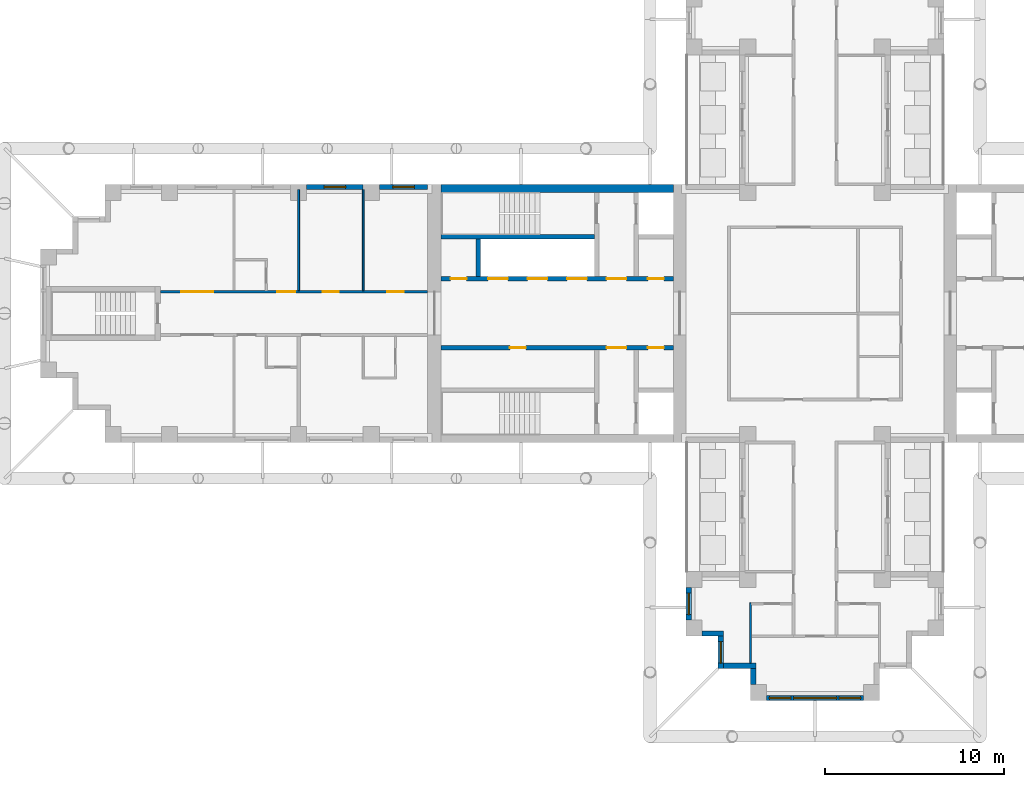
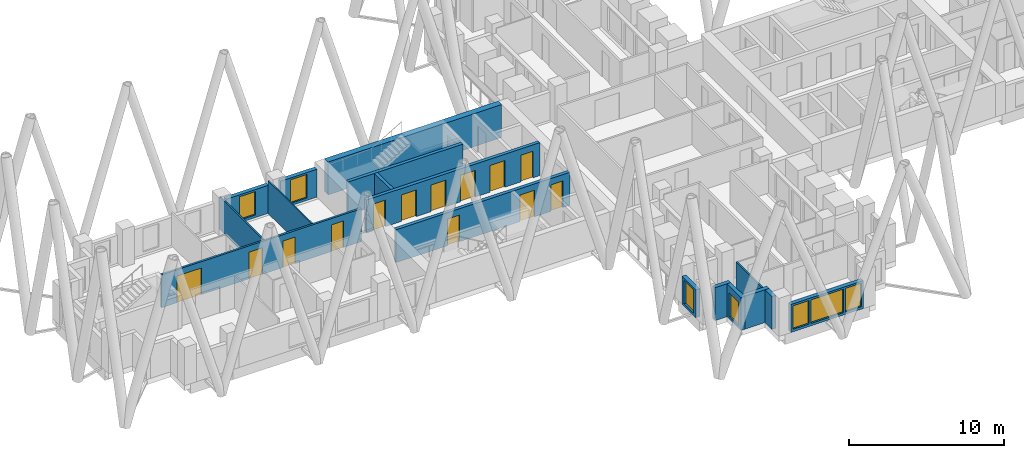
# One storey, part 4 of 12: 17 walls, 13 doors, 7 windows, 20 openings.
"""IFC4 building model written with IfcOpenShell, lengths in metres."""

from ifc_helpers import new_model, si_unit, direction, frame, frame_2d, origin, place, context, subcontext, project, spatial, rectangle, extrude, material, layer, layer_set, type_object, element, fill, save


model = new_model("IFC4")

# Units and contexts
model_context = context("Model", 3, precision=1e-05, world=origin(), true_north=direction((0.0, 1.0)))
body_context = subcontext(model_context, "Body", "Model", "MODEL_VIEW")
ifc_project = project(units=[si_unit("LENGTHUNIT", "METRE"), si_unit("AREAUNIT", "SQUARE_METRE"), si_unit("VOLUMEUNIT", "CUBIC_METRE"), si_unit("PLANEANGLEUNIT", "RADIAN"), si_unit("MASSUNIT", "GRAM", prefix="KILO")], contexts=[model_context])

# Site, building, storey
site_placement = place(None, origin())
site = spatial("IfcSite", under=ifc_project, at=site_placement, CompositionType="ELEMENT")
building_placement = place(site_placement, origin())
building = spatial("IfcBuilding", under=site, at=building_placement, Name="Fustian Cross Tower", CompositionType="ELEMENT")
storey_placement = place(building_placement, frame((0.0, 0.0, 129.300048828125)))
storey = spatial("IfcBuildingStorey", under=building, at=storey_placement, Name="L40", CompositionType="ELEMENT", Elevation=129.300048828125)

# Wall, openings, doors
ifc_material_1 = material(Name="Plasterboard on steel stud", Category="steel")
ifc_layer_1 = layer(ifc_material_1, 0.14990234375)
ifc_layer_set_1 = layer_set([ifc_layer_1], Name="Plasterboard on steel stud")
wall_type_1 = type_object("IfcWallType", Name="COMPARTMENT WALL 150 EI 60", PredefinedType="PARTITIONING", material=ifc_layer_set_1)
wall_1_placement = place(storey_placement, frame((-36.5, 1.199951171875, 0.0), z_axis=(0.0, 0.0, 1.0), x_axis=(1.0, 0.0, 0.0)))
wall_1 = element("IfcWall", 1, at=wall_1_placement, inside=storey, type_object=wall_type_1, Name="Partition 2", PredefinedType="PARTITIONING", context=body_context, shape_type="SweptSolid", body=[
    extrude(rectangle(XDim=14.89990234375, YDim=0.14990234375, at=frame_2d((7.449951171875, 0.0))), origin(), (0.0, 0.0, 1.0), 2.599853515625),
])
opening_1_placement = place(wall_1_placement, frame((12.64990234375, 0.0, 0.0)))
opening_1 = element("IfcOpeningElement", 2, at=opening_1_placement, cuts=wall_1, Name="Opening D19025", PredefinedType="OPENING", context=body_context, shape_type="SweptSolid", body=[
    extrude(rectangle(XDim=0.89990234375, YDim=2.10009765625, at=frame_2d((0.449951171875, 1.050048828125))), frame((0.0, 0.0849609375, 0.0), z_axis=(0.0, -1.0, 0.0), x_axis=(1.0, 0.0, 0.0)), (0.0, 0.0, 1.0), 0.169921875),
])
opening_2_placement = place(wall_1_placement, frame((9.050048828125, 0.0, 0.0)))
opening_2 = element("IfcOpeningElement", 3, at=opening_2_placement, cuts=wall_1, Name="Opening D19026", PredefinedType="OPENING", context=body_context, shape_type="SweptSolid", body=[
    extrude(rectangle(XDim=0.89990234375, YDim=2.10009765625, at=frame_2d((0.449951171875, 1.050048828125))), frame((0.0, 0.0849609375, 0.0), z_axis=(0.0, -1.0, 0.0), x_axis=(1.0, 0.0, 0.0)), (0.0, 0.0, 1.0), 0.169921875),
])
opening_3_placement = place(wall_1_placement, frame((6.5, 0.0, 0.0)))
opening_3 = element("IfcOpeningElement", 4, at=opening_3_placement, cuts=wall_1, Name="Opening D19028", PredefinedType="OPENING", context=body_context, shape_type="SweptSolid", body=[
    extrude(rectangle(XDim=1.0, YDim=2.10009765625, at=frame_2d((0.5, 1.050048828125))), frame((0.0, 0.0849609375, 0.0), z_axis=(0.0, -1.0, 0.0), x_axis=(1.0, 0.0, 0.0)), (0.0, 0.0, 1.0), 0.169921875),
])
opening_4_placement = place(wall_1_placement, frame((1.14990234375, 0.0, 0.0)))
opening_4 = element("IfcOpeningElement", 5, at=opening_4_placement, cuts=wall_1, Name="Opening D19029", PredefinedType="OPENING", context=body_context, shape_type="SweptSolid", body=[
    extrude(rectangle(XDim=1.800048828125, YDim=2.10009765625, at=frame_2d((0.89990234375, 1.050048828125))), frame((0.0, 0.0849609375, 0.0), z_axis=(0.0, -1.0, 0.0), x_axis=(1.0, 0.0, 0.0)), (0.0, 0.0, 1.0), 0.169921875),
])
ifc_material_2 = material(Name="Timber fire door set", Category="wood")
door_type_1 = type_object("IfcDoorType", Name="FIRE DOUBLE DOOR 1800 FD30S", OperationType="DOUBLE_DOOR_DOUBLE_SWING", PredefinedType="DOOR", material=ifc_material_2)
door_1_placement = place(opening_4_placement, frame((1.800048828125, 0.0, 0.0), z_axis=(0.0, 0.0, 1.0), x_axis=(-1.0, 0.0, 0.0)))
door_1 = element("IfcDoor", 6, at=door_1_placement, inside=storey, type_object=door_type_1, Name="Door D19029", OperationType="DOUBLE_DOOR_DOUBLE_SWING", OverallHeight=2.10009765625, OverallWidth=1.800048828125, PredefinedType="DOOR", context=body_context, shape_type="SweptSolid", body=[
    extrude(rectangle(XDim=1.800048828125, YDim=2.10009765625, at=frame_2d((0.89990234375, 1.050048828125))), frame((0.0, 0.02490234375, 0.0), z_axis=(0.0, -1.0, 0.0), x_axis=(1.0, 0.0, 0.0)), (0.0, 0.0, 1.0), 0.050048828125),
])
fill(opening_4, door_1)
ifc_material_3 = material(Name="Timber fire door set", Category="wood")
door_type_2 = type_object("IfcDoorType", Name="FIRE SWING DOOR 1000 FD30S", OperationType="SINGLE_SWING_LEFT", PredefinedType="DOOR", material=ifc_material_3)
door_2_placement = place(opening_3_placement, origin())
door_2 = element("IfcDoor", 7, at=door_2_placement, inside=storey, type_object=door_type_2, Name="Door D19028", OperationType="SINGLE_SWING_RIGHT", OverallHeight=2.10009765625, OverallWidth=1.0, PredefinedType="DOOR", context=body_context, shape_type="SweptSolid", body=[
    extrude(rectangle(XDim=1.0, YDim=2.10009765625, at=frame_2d((0.5, 1.050048828125))), frame((0.0, 0.02490234375, 0.0), z_axis=(0.0, -1.0, 0.0), x_axis=(1.0, 0.0, 0.0)), (0.0, 0.0, 1.0), 0.050048828125),
])
fill(opening_3, door_2)
ifc_material_4 = material(Name="Timber fire door set", Category="wood")
door_type_3 = type_object("IfcDoorType", Name="FIRE SWING DOOR 900 FD30S", OperationType="SINGLE_SWING_LEFT", PredefinedType="DOOR", material=ifc_material_4)
door_3_placement = place(opening_1_placement, origin())
door_3 = element("IfcDoor", 8, at=door_3_placement, inside=storey, type_object=door_type_3, Name="Door D19025", OperationType="SINGLE_SWING_LEFT", OverallHeight=2.10009765625, OverallWidth=0.89990234375, PredefinedType="DOOR", context=body_context, shape_type="SweptSolid", body=[
    extrude(rectangle(XDim=0.89990234375, YDim=2.10009765625, at=frame_2d((0.449951171875, 1.050048828125))), frame((0.0, 0.02490234375, 0.0), z_axis=(0.0, -1.0, 0.0), x_axis=(1.0, 0.0, 0.0)), (0.0, 0.0, 1.0), 0.050048828125),
])
fill(opening_1, door_3)
door_4_placement = place(opening_2_placement, origin())
door_4 = element("IfcDoor", 9, at=door_4_placement, inside=storey, type_object=door_type_3, Name="Door D19026", OperationType="SINGLE_SWING_LEFT", OverallHeight=2.10009765625, OverallWidth=0.89990234375, PredefinedType="DOOR", context=body_context, shape_type="SweptSolid", body=[
    extrude(rectangle(XDim=0.89990234375, YDim=2.10009765625, at=frame_2d((0.449951171875, 1.050048828125))), frame((0.0, 0.02490234375, 0.0), z_axis=(0.0, -1.0, 0.0), x_axis=(1.0, 0.0, 0.0)), (0.0, 0.0, 1.0), 0.050048828125),
])
fill(opening_2, door_4)

# Wall
ifc_material_5 = material(Name="Concrete C60/75", Category="concrete")
ifc_layer_2 = layer(ifc_material_5, 0.449951171875)
ifc_layer_set_2 = layer_set([ifc_layer_2], Name="Concrete C60/75")
wall_type_2 = type_object("IfcWallType", Name="CORE FACADE WALL 450 C60/75", PredefinedType="SHEAR", material=ifc_layer_set_2)
wall_2_placement = place(storey_placement, frame((-7.89990234375, 6.97509765625, 0.0), z_axis=(0.0, 0.0, 1.0), x_axis=(-1.0, 0.0, 0.0)))
element("IfcWall", 10, at=wall_2_placement, inside=storey, type_object=wall_type_2, Name="Core facade wall", PredefinedType="SHEAR", context=body_context, shape_type="SweptSolid", body=[
    extrude(rectangle(XDim=12.9501953125, YDim=0.449951171875, at=frame_2d((6.47509765625, 0.0))), origin(), (0.0, 0.0, 1.0), 2.599853515625),
])

# Wall, openings, doors
ifc_material_6 = material(Name="Concrete C50/60", Category="concrete")
ifc_layer_3 = layer(ifc_material_6, 0.25)
ifc_layer_set_3 = layer_set([ifc_layer_3], Name="Concrete C50/60")
wall_type_3 = type_object("IfcWallType", Name="CORE LOBBY WALL 250 C50/60", PredefinedType="SHEAR", material=ifc_layer_set_3)
wall_3_placement = place(storey_placement, frame((-7.89990234375, 1.925048828125, 0.0), z_axis=(0.0, 0.0, 1.0), x_axis=(-1.0, 0.0, 0.0)))
wall_3 = element("IfcWall", 11, at=wall_3_placement, inside=storey, type_object=wall_type_3, Name="Core lobby wall", PredefinedType="SHEAR", context=body_context, shape_type="SweptSolid", body=[
    extrude(rectangle(XDim=12.9501953125, YDim=0.25, at=frame_2d((6.47509765625, 0.0))), origin(), (0.0, 0.0, 1.0), 2.599853515625),
])
opening_5_placement = place(wall_3_placement, frame((4.824951171875, 0.0, 0.0)))
opening_5 = element("IfcOpeningElement", 12, at=opening_5_placement, cuts=wall_3, Name="Opening LD", PredefinedType="OPENING", context=body_context, shape_type="SweptSolid", body=[
    extrude(rectangle(XDim=1.10009765625, YDim=2.10009765625, at=frame_2d((0.550048828125, 1.050048828125))), frame((0.0, 0.135009765625, 0.0), z_axis=(0.0, -1.0, 0.0), x_axis=(1.0, 0.0, 0.0)), (0.0, 0.0, 1.0), 0.27001953125),
])
opening_6_placement = place(wall_3_placement, frame((7.02490234375, 0.0, 0.0)))
opening_6 = element("IfcOpeningElement", 13, at=opening_6_placement, cuts=wall_3, Name="Opening LD", PredefinedType="OPENING", context=body_context, shape_type="SweptSolid", body=[
    extrude(rectangle(XDim=1.10009765625, YDim=2.10009765625, at=frame_2d((0.550048828125, 1.050048828125))), frame((0.0, 0.135009765625, 0.0), z_axis=(0.0, -1.0, 0.0), x_axis=(1.0, 0.0, 0.0)), (0.0, 0.0, 1.0), 0.27001953125),
])
opening_7_placement = place(wall_3_placement, frame((9.22509765625, 0.0, 0.0)))
opening_7 = element("IfcOpeningElement", 14, at=opening_7_placement, cuts=wall_3, Name="Opening LD", PredefinedType="OPENING", context=body_context, shape_type="SweptSolid", body=[
    extrude(rectangle(XDim=1.10009765625, YDim=2.10009765625, at=frame_2d((0.550048828125, 1.050048828125))), frame((0.0, 0.135009765625, 0.0), z_axis=(0.0, -1.0, 0.0), x_axis=(1.0, 0.0, 0.0)), (0.0, 0.0, 1.0), 0.27001953125),
])
opening_8_placement = place(wall_3_placement, frame((0.52490234375, 0.0, 0.0)))
opening_8 = element("IfcOpeningElement", 15, at=opening_8_placement, cuts=wall_3, Name="Opening CD-17-23", PredefinedType="OPENING", context=body_context, shape_type="SweptSolid", body=[
    extrude(rectangle(XDim=0.89990234375, YDim=2.10009765625, at=frame_2d((0.449951171875, 1.050048828125))), frame((0.0, 0.135009765625, 0.0), z_axis=(0.0, -1.0, 0.0), x_axis=(1.0, 0.0, 0.0)), (0.0, 0.0, 1.0), 0.27001953125),
])
opening_9_placement = place(wall_3_placement, frame((2.625, 0.0, 0.0)))
opening_9 = element("IfcOpeningElement", 16, at=opening_9_placement, cuts=wall_3, Name="Opening CD-17-25", PredefinedType="OPENING", context=body_context, shape_type="SweptSolid", body=[
    extrude(rectangle(XDim=1.10009765625, YDim=2.10009765625, at=frame_2d((0.550048828125, 1.050048828125))), frame((0.0, 0.135009765625, 0.0), z_axis=(0.0, -1.0, 0.0), x_axis=(1.0, 0.0, 0.0)), (0.0, 0.0, 1.0), 0.27001953125),
])
opening_10_placement = place(wall_3_placement, frame((11.52490234375, 0.0, 0.0)))
opening_10 = element("IfcOpeningElement", 17, at=opening_10_placement, cuts=wall_3, Name="Opening CD-17-29", PredefinedType="OPENING", context=body_context, shape_type="SweptSolid", body=[
    extrude(rectangle(XDim=0.89990234375, YDim=2.10009765625, at=frame_2d((0.449951171875, 1.050048828125))), frame((0.0, 0.135009765625, 0.0), z_axis=(0.0, -1.0, 0.0), x_axis=(1.0, 0.0, 0.0)), (0.0, 0.0, 1.0), 0.27001953125),
])
ifc_material_7 = material(Name="Steel", Category="steel")
door_type_4 = type_object("IfcDoorType", Name="FIRE DOOR FD30S 900X2100", OperationType="SINGLE_SWING_LEFT", PredefinedType="DOOR", material=ifc_material_7)
door_5_placement = place(opening_10_placement, frame((0.89990234375, 0.0, 0.0), z_axis=(0.0, 0.0, 1.0), x_axis=(-1.0, 0.0, 0.0)))
door_5 = element("IfcDoor", 18, at=door_5_placement, inside=storey, type_object=door_type_4, Name="Core door CD-17-29", OperationType="SINGLE_SWING_RIGHT", OverallHeight=2.10009765625, OverallWidth=0.89990234375, PredefinedType="DOOR", context=body_context, shape_type="SweptSolid", body=[
    extrude(rectangle(XDim=0.89990234375, YDim=2.10009765625, at=frame_2d((0.449951171875, 1.050048828125))), frame((0.0, 0.02490234375, 0.0), z_axis=(0.0, -1.0, 0.0), x_axis=(1.0, 0.0, 0.0)), (0.0, 0.0, 1.0), 0.050048828125),
])
fill(opening_10, door_5)
ifc_material_8 = material(Name="Steel", Category="steel")
door_type_5 = type_object("IfcDoorType", Name="FIRE DOOR FD60S 1100X2100", OperationType="SINGLE_SWING_LEFT", PredefinedType="DOOR", material=ifc_material_8)
door_6_placement = place(opening_9_placement, frame((1.10009765625, 0.0, 0.0), z_axis=(0.0, 0.0, 1.0), x_axis=(-1.0, 0.0, 0.0)))
door_6 = element("IfcDoor", 19, at=door_6_placement, inside=storey, type_object=door_type_5, Name="Core door CD-17-25", OperationType="SINGLE_SWING_RIGHT", OverallHeight=2.10009765625, OverallWidth=1.10009765625, PredefinedType="DOOR", context=body_context, shape_type="SweptSolid", body=[
    extrude(rectangle(XDim=1.10009765625, YDim=2.10009765625, at=frame_2d((0.550048828125, 1.050048828125))), frame((0.0, 0.02490234375, 0.0), z_axis=(0.0, -1.0, 0.0), x_axis=(1.0, 0.0, 0.0)), (0.0, 0.0, 1.0), 0.050048828125),
])
fill(opening_9, door_6)
ifc_material_9 = material(Name="Steel", Category="steel")
door_type_6 = type_object("IfcDoorType", Name="FIRE DOOR FD60S 900X2100", OperationType="SINGLE_SWING_LEFT", PredefinedType="DOOR", material=ifc_material_9)
door_7_placement = place(opening_8_placement, frame((0.89990234375, 0.0, 0.0), z_axis=(0.0, 0.0, 1.0), x_axis=(-1.0, 0.0, 0.0)))
door_7 = element("IfcDoor", 20, at=door_7_placement, inside=storey, type_object=door_type_6, Name="Core door CD-17-23", OperationType="SINGLE_SWING_RIGHT", OverallHeight=2.10009765625, OverallWidth=0.89990234375, PredefinedType="DOOR", context=body_context, shape_type="SweptSolid", body=[
    extrude(rectangle(XDim=0.89990234375, YDim=2.10009765625, at=frame_2d((0.449951171875, 1.050048828125))), frame((0.0, 0.02490234375, 0.0), z_axis=(0.0, -1.0, 0.0), x_axis=(1.0, 0.0, 0.0)), (0.0, 0.0, 1.0), 0.050048828125),
])
fill(opening_8, door_7)
ifc_material_10 = material(Name="Stainless steel", Category="steel")
door_type_7 = type_object("IfcDoorType", Name="LIFT LANDING DOOR 1100X2100", OperationType="SLIDING_TO_LEFT", PredefinedType="DOOR", material=ifc_material_10)
door_8_placement = place(opening_5_placement, origin())
door_8 = element("IfcDoor", 21, at=door_8_placement, inside=storey, type_object=door_type_7, Name="Landing door HR1W", OperationType="SLIDING_TO_LEFT", OverallHeight=2.10009765625, OverallWidth=1.10009765625, PredefinedType="DOOR", context=body_context, shape_type="SweptSolid", body=[
    extrude(rectangle(XDim=1.10009765625, YDim=2.10009765625, at=frame_2d((0.550048828125, 1.050048828125))), frame((0.0, 0.02490234375, 0.0), z_axis=(0.0, -1.0, 0.0), x_axis=(1.0, 0.0, 0.0)), (0.0, 0.0, 1.0), 0.050048828125),
])
fill(opening_5, door_8)
door_9_placement = place(opening_6_placement, origin())
door_9 = element("IfcDoor", 22, at=door_9_placement, inside=storey, type_object=door_type_7, Name="Landing door HR2W", OperationType="SLIDING_TO_LEFT", OverallHeight=2.10009765625, OverallWidth=1.10009765625, PredefinedType="DOOR", context=body_context, shape_type="SweptSolid", body=[
    extrude(rectangle(XDim=1.10009765625, YDim=2.10009765625, at=frame_2d((0.550048828125, 1.050048828125))), frame((0.0, 0.02490234375, 0.0), z_axis=(0.0, -1.0, 0.0), x_axis=(1.0, 0.0, 0.0)), (0.0, 0.0, 1.0), 0.050048828125),
])
fill(opening_6, door_9)
door_10_placement = place(opening_7_placement, origin())
door_10 = element("IfcDoor", 23, at=door_10_placement, inside=storey, type_object=door_type_7, Name="Landing door HR3W", OperationType="SLIDING_TO_LEFT", OverallHeight=2.10009765625, OverallWidth=1.10009765625, PredefinedType="DOOR", context=body_context, shape_type="SweptSolid", body=[
    extrude(rectangle(XDim=1.10009765625, YDim=2.10009765625, at=frame_2d((0.550048828125, 1.050048828125))), frame((0.0, 0.02490234375, 0.0), z_axis=(0.0, -1.0, 0.0), x_axis=(1.0, 0.0, 0.0)), (0.0, 0.0, 1.0), 0.050048828125),
])
fill(opening_7, door_10)

wall_4_placement = place(storey_placement, frame((-7.89990234375, -1.925048828125, 0.0), z_axis=(0.0, 0.0, 1.0), x_axis=(-1.0, 0.0, 0.0)))
wall_4 = element("IfcWall", 24, at=wall_4_placement, inside=storey, type_object=wall_type_3, Name="Core lobby wall", PredefinedType="SHEAR", context=body_context, shape_type="SweptSolid", body=[
    extrude(rectangle(XDim=12.9501953125, YDim=0.25, at=frame_2d((6.47509765625, 0.0))), origin(), (0.0, 0.0, 1.0), 2.599853515625),
])
opening_11_placement = place(wall_4_placement, frame((0.52490234375, 0.0, 0.0)))
opening_11 = element("IfcOpeningElement", 25, at=opening_11_placement, cuts=wall_4, Name="Opening CD-17-24", PredefinedType="OPENING", context=body_context, shape_type="SweptSolid", body=[
    extrude(rectangle(XDim=0.89990234375, YDim=2.10009765625, at=frame_2d((0.449951171875, 1.050048828125))), frame((0.0, 0.135009765625, 0.0), z_axis=(0.0, -1.0, 0.0), x_axis=(1.0, 0.0, 0.0)), (0.0, 0.0, 1.0), 0.27001953125),
])
opening_12_placement = place(wall_4_placement, frame((2.625, 0.0, 0.0)))
opening_12 = element("IfcOpeningElement", 26, at=opening_12_placement, cuts=wall_4, Name="Opening CD-17-26", PredefinedType="OPENING", context=body_context, shape_type="SweptSolid", body=[
    extrude(rectangle(XDim=1.10009765625, YDim=2.10009765625, at=frame_2d((0.550048828125, 1.050048828125))), frame((0.0, 0.135009765625, 0.0), z_axis=(0.0, -1.0, 0.0), x_axis=(1.0, 0.0, 0.0)), (0.0, 0.0, 1.0), 0.27001953125),
])
opening_13_placement = place(wall_4_placement, frame((8.22509765625, 0.0, 0.0)))
opening_13 = element("IfcOpeningElement", 27, at=opening_13_placement, cuts=wall_4, Name="Opening CD-17-30", PredefinedType="OPENING", context=body_context, shape_type="SweptSolid", body=[
    extrude(rectangle(XDim=0.89990234375, YDim=2.10009765625, at=frame_2d((0.449951171875, 1.050048828125))), frame((0.0, 0.135009765625, 0.0), z_axis=(0.0, -1.0, 0.0), x_axis=(1.0, 0.0, 0.0)), (0.0, 0.0, 1.0), 0.27001953125),
])
ifc_material_11 = material(Name="Steel", Category="steel")
door_type_8 = type_object("IfcDoorType", Name="FIRE DOOR FD30S 1100X2100", OperationType="SINGLE_SWING_LEFT", PredefinedType="DOOR", material=ifc_material_11)
door_11_placement = place(opening_12_placement, frame((1.10009765625, 0.0, 0.0), z_axis=(0.0, 0.0, 1.0), x_axis=(-1.0, 0.0, 0.0)))
door_11 = element("IfcDoor", 28, at=door_11_placement, inside=storey, type_object=door_type_8, Name="Core door CD-17-26", OperationType="SINGLE_SWING_RIGHT", OverallHeight=2.10009765625, OverallWidth=1.10009765625, PredefinedType="DOOR", context=body_context, shape_type="SweptSolid", body=[
    extrude(rectangle(XDim=1.10009765625, YDim=2.10009765625, at=frame_2d((0.550048828125, 1.050048828125))), frame((0.0, 0.02490234375, 0.0), z_axis=(0.0, -1.0, 0.0), x_axis=(1.0, 0.0, 0.0)), (0.0, 0.0, 1.0), 0.050048828125),
])
fill(opening_12, door_11)
door_12_placement = place(opening_11_placement, origin())
door_12 = element("IfcDoor", 29, at=door_12_placement, inside=storey, type_object=door_type_4, Name="Core door CD-17-24", OperationType="SINGLE_SWING_LEFT", OverallHeight=2.10009765625, OverallWidth=0.89990234375, PredefinedType="DOOR", context=body_context, shape_type="SweptSolid", body=[
    extrude(rectangle(XDim=0.89990234375, YDim=2.10009765625, at=frame_2d((0.449951171875, 1.050048828125))), frame((0.0, 0.02490234375, 0.0), z_axis=(0.0, -1.0, 0.0), x_axis=(1.0, 0.0, 0.0)), (0.0, 0.0, 1.0), 0.050048828125),
])
fill(opening_11, door_12)
door_13_placement = place(opening_13_placement, origin())
door_13 = element("IfcDoor", 30, at=door_13_placement, inside=storey, type_object=door_type_4, Name="Core door CD-17-30", OperationType="SINGLE_SWING_RIGHT", OverallHeight=2.10009765625, OverallWidth=0.89990234375, PredefinedType="DOOR", context=body_context, shape_type="SweptSolid", body=[
    extrude(rectangle(XDim=0.89990234375, YDim=2.10009765625, at=frame_2d((0.449951171875, 1.050048828125))), frame((0.0, 0.02490234375, 0.0), z_axis=(0.0, -1.0, 0.0), x_axis=(1.0, 0.0, 0.0)), (0.0, 0.0, 1.0), 0.050048828125),
])
fill(opening_13, door_13)

# Walls
ifc_material_12 = material(Name="Concrete C50/60", Category="concrete")
ifc_layer_4 = layer(ifc_material_12, 0.25)
ifc_layer_set_4 = layer_set([ifc_layer_4], Name="Concrete C50/60")
wall_type_4 = type_object("IfcWallType", Name="CORE SHAFT WALL 250 C50/60", PredefinedType="SHEAR", material=ifc_layer_set_4)
wall_5_placement = place(storey_placement, frame((-12.300048828125, 4.27490234375, 0.0), z_axis=(0.0, 0.0, 1.0), x_axis=(-1.0, 0.0, 0.0)))
element("IfcWall", 31, at=wall_5_placement, inside=storey, type_object=wall_type_4, Name="Core shaft wall", PredefinedType="SHEAR", context=body_context, shape_type="SweptSolid", body=[
    extrude(rectangle(XDim=8.550048828125, YDim=0.25, at=frame_2d((4.27490234375, 0.0))), origin(), (0.0, 0.0, 1.0), 2.599853515625),
])
ifc_material_13 = material(Name="Plasterboard on steel stud", Category="steel")
ifc_layer_5 = layer(ifc_material_13, 0.10009765625)
ifc_layer_set_5 = layer_set([ifc_layer_5], Name="Plasterboard on steel stud")
wall_type_5 = type_object("IfcWallType", Name="PARTITION 100 STUD", PredefinedType="PARTITIONING", material=ifc_layer_set_5)
for number, where, z_axis, x_axis, name in (
    (32, (-28.800048828125, 1.27490234375, 0.0), (0.0, 0.0, 1.0), (0.0, 1.0, 0.0), "Partition 11"),
    (33, (-25.199951171875, 1.27490234375, 0.0), (0.0, 0.0, 1.0), (0.0, 1.0, 0.0), "Partition 14"),
):
    element("IfcWall", number, at=place(storey_placement, frame(where, z_axis=z_axis, x_axis=x_axis)), inside=storey, type_object=wall_type_5, Name=name, PredefinedType="PARTITIONING", context=body_context, shape_type="SweptSolid", body=[
        extrude(rectangle(XDim=5.625, YDim=0.10009765625, at=frame_2d((2.8125, 0.0))), origin(), (0.0, 0.0, 1.0), 2.599853515625),
    ])
wall_6_placement = place(storey_placement, frame((-3.60009765625, -19.5, 0.0), z_axis=(0.0, 0.0, 1.0), x_axis=(0.0, 1.0, 0.0)))
element("IfcWall", 34, at=wall_6_placement, inside=storey, type_object=wall_type_5, Name="Partition 24", PredefinedType="PARTITIONING", context=body_context, shape_type="SweptSolid", body=[
    extrude(rectangle(XDim=3.35009765625, YDim=0.10009765625, at=frame_2d((1.675048828125, 0.0))), origin(), (0.0, 0.0, 1.0), 2.599853515625),
])
ifc_material_14 = material(Name="Concrete C40/50", Category="concrete")
ifc_layer_6 = layer(ifc_material_14, 0.25)
ifc_layer_set_6 = layer_set([ifc_layer_6], Name="Concrete C40/50")
wall_type_6 = type_object("IfcWallType", Name="SHAFT PARTITION WALL 250 C40/50", PredefinedType="PARTITIONING", material=ifc_layer_set_6)
wall_7_placement = place(storey_placement, frame((-18.77490234375, 2.050048828125, 0.0), z_axis=(0.0, 0.0, 1.0), x_axis=(0.0, 1.0, 0.0)))
element("IfcWall", 35, at=wall_7_placement, inside=storey, type_object=wall_type_6, Name="Core shaft wall", PredefinedType="PARTITIONING", context=body_context, shape_type="SweptSolid", body=[
    extrude(rectangle(XDim=2.099853515625, YDim=0.25, at=frame_2d((1.0498046875, 0.0))), origin(), (0.0, 0.0, 1.0), 2.599853515625),
])

# Wall, opening, window
ifc_material_15 = material(Name="Dark aluminium cladding on insulated backing wall", Category="aluminium")
ifc_layer_7 = layer(ifc_material_15, 0.300048828125)
ifc_layer_set_7 = layer_set([ifc_layer_7], Name="Dark aluminium cladding on insulated backing wall")
wall_type_7 = type_object("IfcWallType", Name="XW1 EXTERNAL WALL 300", PredefinedType="SOLIDWALL", material=ifc_layer_set_7)
wall_8_placement = place(storey_placement, frame((-21.60009765625, 7.050048828125, 0.0), z_axis=(0.0, 0.0, 1.0), x_axis=(-1.0, 0.0, 0.0)))
wall_8 = element("IfcWall", 36, at=wall_8_placement, inside=storey, type_object=wall_type_7, Name="External wall", PredefinedType="SOLIDWALL", context=body_context, shape_type="SweptSolid", body=[
    extrude(rectangle(XDim=2.699951171875, YDim=0.300048828125, at=frame_2d((1.35009765625, 0.0))), origin(), (0.0, 0.0, 1.0), 2.199951171875),
])
opening_14_placement = place(wall_8_placement, frame((0.75, 0.0, 0.199951171875)))
opening_14 = element("IfcOpeningElement", 37, at=opening_14_placement, cuts=wall_8, Name="Opening WN3", PredefinedType="OPENING", context=body_context, shape_type="SweptSolid", body=[
    extrude(rectangle(XDim=1.199951171875, YDim=1.85009765625, at=frame_2d((0.60009765625, 0.925048828125))), frame((0.0, 0.159912109375, 0.0), z_axis=(0.0, -1.0, 0.0), x_axis=(1.0, 0.0, 0.0)), (0.0, 0.0, 1.0), 0.320068359375),
])
ifc_material_16 = material(Name="Dark anodised aluminium and double glazing", Category="aluminium")
window_type_1 = type_object("IfcWindowType", Name="WN3 WINDOW 1200X1850", PartitioningType="SINGLE_PANEL", PredefinedType="WINDOW", material=ifc_material_16)
window_1_placement = place(opening_14_placement, origin())
window_1 = element("IfcWindow", 38, at=window_1_placement, inside=storey, type_object=window_type_1, Name="Window", OverallHeight=1.85009765625, OverallWidth=1.199951171875, PartitioningType="SINGLE_PANEL", PredefinedType="WINDOW", context=body_context, shape_type="SweptSolid", body=[
    extrude(rectangle(XDim=1.199951171875, YDim=1.85009765625, at=frame_2d((0.60009765625, 0.925048828125))), frame((0.0, 0.030029296875, 0.0), z_axis=(0.0, -1.0, 0.0), x_axis=(1.0, 0.0, 0.0)), (0.0, 0.0, 1.0), 0.06005859375),
])
fill(opening_14, window_1)

wall_9_placement = place(storey_placement, frame((-25.199951171875, 7.050048828125, 0.0), z_axis=(0.0, 0.0, 1.0), x_axis=(-1.0, 0.0, 0.0)))
wall_9 = element("IfcWall", 39, at=wall_9_placement, inside=storey, type_object=wall_type_7, Name="External wall", PredefinedType="SOLIDWALL", context=body_context, shape_type="SweptSolid", body=[
    extrude(rectangle(XDim=3.150146484375, YDim=0.300048828125, at=frame_2d((1.5751953125, 0.0))), origin(), (0.0, 0.0, 1.0), 2.199951171875),
])
opening_15_placement = place(wall_9_placement, frame((0.97509765625, 0.0, 0.199951171875)))
opening_15 = element("IfcOpeningElement", 40, at=opening_15_placement, cuts=wall_9, Name="Opening WN3", PredefinedType="OPENING", context=body_context, shape_type="SweptSolid", body=[
    extrude(rectangle(XDim=1.199951171875, YDim=1.85009765625, at=frame_2d((0.60009765625, 0.925048828125))), frame((0.0, 0.159912109375, 0.0), z_axis=(0.0, -1.0, 0.0), x_axis=(1.0, 0.0, 0.0)), (0.0, 0.0, 1.0), 0.320068359375),
])
window_2_placement = place(opening_15_placement, origin())
window_2 = element("IfcWindow", 41, at=window_2_placement, inside=storey, type_object=window_type_1, Name="Window", OverallHeight=1.85009765625, OverallWidth=1.199951171875, PartitioningType="SINGLE_PANEL", PredefinedType="WINDOW", context=body_context, shape_type="SweptSolid", body=[
    extrude(rectangle(XDim=1.199951171875, YDim=1.85009765625, at=frame_2d((0.60009765625, 0.925048828125))), frame((0.0, 0.030029296875, 0.0), z_axis=(0.0, -1.0, 0.0), x_axis=(1.0, 0.0, 0.0)), (0.0, 0.0, 1.0), 0.06005859375),
])
fill(opening_15, window_2)

wall_10_placement = place(storey_placement, frame((-7.050048828125, -15.300048828125, 0.0), z_axis=(0.0, 0.0, 1.0), x_axis=(0.0, -1.0, 0.0)))
wall_10 = element("IfcWall", 42, at=wall_10_placement, inside=storey, type_object=wall_type_7, Name="External wall", PredefinedType="SOLIDWALL", context=body_context, shape_type="SweptSolid", body=[
    extrude(rectangle(XDim=1.800048828125, YDim=0.300048828125, at=frame_2d((0.89990234375, 0.0))), origin(), (0.0, 0.0, 1.0), 2.199951171875),
])
opening_16_placement = place(wall_10_placement, frame((0.300048828125, 0.0, 0.199951171875)))
opening_16 = element("IfcOpeningElement", 43, at=opening_16_placement, cuts=wall_10, Name="Opening WN3", PredefinedType="OPENING", context=body_context, shape_type="SweptSolid", body=[
    extrude(rectangle(XDim=1.199951171875, YDim=1.85009765625, at=frame_2d((0.60009765625, 0.925048828125))), frame((0.0, 0.159912109375, 0.0), z_axis=(0.0, -1.0, 0.0), x_axis=(1.0, 0.0, 0.0)), (0.0, 0.0, 1.0), 0.320068359375),
])
window_3_placement = place(opening_16_placement, origin())
window_3 = element("IfcWindow", 44, at=window_3_placement, inside=storey, type_object=window_type_1, Name="Window", OverallHeight=1.85009765625, OverallWidth=1.199951171875, PartitioningType="SINGLE_PANEL", PredefinedType="WINDOW", context=body_context, shape_type="SweptSolid", body=[
    extrude(rectangle(XDim=1.199951171875, YDim=1.85009765625, at=frame_2d((0.60009765625, 0.925048828125))), frame((0.0, 0.030029296875, 0.0), z_axis=(0.0, -1.0, 0.0), x_axis=(1.0, 0.0, 0.0)), (0.0, 0.0, 1.0), 0.06005859375),
])
fill(opening_16, window_3)

# Wall
wall_11_placement = place(storey_placement, frame((-6.300048828125, -17.85009765625, 0.0), z_axis=(0.0, 0.0, 1.0), x_axis=(1.0, 0.0, 0.0)))
element("IfcWall", 45, at=wall_11_placement, inside=storey, type_object=wall_type_7, Name="External wall", PredefinedType="SOLIDWALL", context=body_context, shape_type="SweptSolid", body=[
    extrude(rectangle(XDim=1.199951171875, YDim=0.300048828125, at=frame_2d((0.60009765625, 0.0))), origin(), (0.0, 0.0, 1.0), 2.599853515625),
])

# Wall, opening, window
wall_12_placement = place(storey_placement, frame((-5.25, -18.0, 0.0), z_axis=(0.0, 0.0, 1.0), x_axis=(0.0, -1.0, 0.0)))
wall_12 = element("IfcWall", 46, at=wall_12_placement, inside=storey, type_object=wall_type_7, Name="External wall", PredefinedType="SOLIDWALL", context=body_context, shape_type="SweptSolid", body=[
    extrude(rectangle(XDim=1.800048828125, YDim=0.300048828125, at=frame_2d((0.89990234375, 0.0))), origin(), (0.0, 0.0, 1.0), 2.599853515625),
])
opening_17_placement = place(wall_12_placement, frame((0.300048828125, 0.0, 0.199951171875)))
opening_17 = element("IfcOpeningElement", 47, at=opening_17_placement, cuts=wall_12, Name="Opening WN3", PredefinedType="OPENING", context=body_context, shape_type="SweptSolid", body=[
    extrude(rectangle(XDim=1.199951171875, YDim=1.85009765625, at=frame_2d((0.60009765625, 0.925048828125))), frame((0.0, 0.159912109375, 0.0), z_axis=(0.0, -1.0, 0.0), x_axis=(1.0, 0.0, 0.0)), (0.0, 0.0, 1.0), 0.320068359375),
])
window_4_placement = place(opening_17_placement, origin())
window_4 = element("IfcWindow", 48, at=window_4_placement, inside=storey, type_object=window_type_1, Name="Window", OverallHeight=1.85009765625, OverallWidth=1.199951171875, PartitioningType="SINGLE_PANEL", PredefinedType="WINDOW", context=body_context, shape_type="SweptSolid", body=[
    extrude(rectangle(XDim=1.199951171875, YDim=1.85009765625, at=frame_2d((0.60009765625, 0.925048828125))), frame((0.0, 0.030029296875, 0.0), z_axis=(0.0, -1.0, 0.0), x_axis=(1.0, 0.0, 0.0)), (0.0, 0.0, 1.0), 0.06005859375),
])
fill(opening_17, window_4)

# Walls
wall_13_placement = place(storey_placement, frame((-5.10009765625, -19.64990234375, 0.0), z_axis=(0.0, 0.0, 1.0), x_axis=(1.0, 0.0, 0.0)))
element("IfcWall", 49, at=wall_13_placement, inside=storey, type_object=wall_type_7, Name="External wall", PredefinedType="SOLIDWALL", context=body_context, shape_type="SweptSolid", body=[
    extrude(rectangle(XDim=1.800048828125, YDim=0.300048828125, at=frame_2d((0.89990234375, 0.0))), origin(), (0.0, 0.0, 1.0), 2.599853515625),
])
wall_14_placement = place(storey_placement, frame((-3.449951171875, -19.800048828125, 0.0), z_axis=(0.0, 0.0, 1.0), x_axis=(0.0, -1.0, 0.0)))
element("IfcWall", 50, at=wall_14_placement, inside=storey, type_object=wall_type_7, Name="External wall", PredefinedType="SOLIDWALL", context=body_context, shape_type="SweptSolid", body=[
    extrude(rectangle(XDim=0.89990234375, YDim=0.300048828125, at=frame_2d((0.449951171875, 0.0))), origin(), (0.0, 0.0, 1.0), 2.599853515625),
])

# Wall, openings, windows
wall_15_placement = place(storey_placement, frame((-2.699951171875, -21.449951171875, 0.0), z_axis=(0.0, 0.0, 1.0), x_axis=(1.0, 0.0, 0.0)))
wall_15 = element("IfcWall", 51, at=wall_15_placement, inside=storey, type_object=wall_type_7, Name="External wall", PredefinedType="SOLIDWALL", context=body_context, shape_type="SweptSolid", body=[
    extrude(rectangle(XDim=5.39990234375, YDim=0.300048828125, at=frame_2d((2.699951171875, 0.0))), origin(), (0.0, 0.0, 1.0), 2.199951171875),
])
opening_18_placement = place(wall_15_placement, frame((1.5, 0.0, 0.199951171875)))
opening_18 = element("IfcOpeningElement", 52, at=opening_18_placement, cuts=wall_15, Name="Opening WN1", PredefinedType="OPENING", context=body_context, shape_type="SweptSolid", body=[
    extrude(rectangle(XDim=2.39990234375, YDim=1.85009765625, at=frame_2d((1.199951171875, 0.925048828125))), frame((0.0, 0.159912109375, 0.0), z_axis=(0.0, -1.0, 0.0), x_axis=(1.0, 0.0, 0.0)), (0.0, 0.0, 1.0), 0.320068359375),
])
opening_19_placement = place(wall_15_placement, frame((0.14990234375, 0.0, 0.199951171875)))
opening_19 = element("IfcOpeningElement", 53, at=opening_19_placement, cuts=wall_15, Name="Opening WN3", PredefinedType="OPENING", context=body_context, shape_type="SweptSolid", body=[
    extrude(rectangle(XDim=1.199951171875, YDim=1.85009765625, at=frame_2d((0.60009765625, 0.925048828125))), frame((0.0, 0.159912109375, 0.0), z_axis=(0.0, -1.0, 0.0), x_axis=(1.0, 0.0, 0.0)), (0.0, 0.0, 1.0), 0.320068359375),
])
opening_20_placement = place(wall_15_placement, frame((4.050048828125, 0.0, 0.199951171875)))
opening_20 = element("IfcOpeningElement", 54, at=opening_20_placement, cuts=wall_15, Name="Opening WN3", PredefinedType="OPENING", context=body_context, shape_type="SweptSolid", body=[
    extrude(rectangle(XDim=1.199951171875, YDim=1.85009765625, at=frame_2d((0.60009765625, 0.925048828125))), frame((0.0, 0.159912109375, 0.0), z_axis=(0.0, -1.0, 0.0), x_axis=(1.0, 0.0, 0.0)), (0.0, 0.0, 1.0), 0.320068359375),
])
ifc_material_17 = material(Name="Dark anodised aluminium and double glazing", Category="aluminium")
window_type_2 = type_object("IfcWindowType", Name="WN1 WINDOW 2400X1850", PartitioningType="SINGLE_PANEL", PredefinedType="WINDOW", material=ifc_material_17)
window_5_placement = place(opening_18_placement, origin())
window_5 = element("IfcWindow", 55, at=window_5_placement, inside=storey, type_object=window_type_2, Name="Window", OverallHeight=1.85009765625, OverallWidth=2.39990234375, PartitioningType="SINGLE_PANEL", PredefinedType="WINDOW", context=body_context, shape_type="SweptSolid", body=[
    extrude(rectangle(XDim=2.39990234375, YDim=1.85009765625, at=frame_2d((1.199951171875, 0.925048828125))), frame((0.0, 0.030029296875, 0.0), z_axis=(0.0, -1.0, 0.0), x_axis=(1.0, 0.0, 0.0)), (0.0, 0.0, 1.0), 0.06005859375),
])
fill(opening_18, window_5)
window_6_placement = place(opening_19_placement, origin())
window_6 = element("IfcWindow", 56, at=window_6_placement, inside=storey, type_object=window_type_1, Name="Window", OverallHeight=1.85009765625, OverallWidth=1.199951171875, PartitioningType="SINGLE_PANEL", PredefinedType="WINDOW", context=body_context, shape_type="SweptSolid", body=[
    extrude(rectangle(XDim=1.199951171875, YDim=1.85009765625, at=frame_2d((0.60009765625, 0.925048828125))), frame((0.0, 0.030029296875, 0.0), z_axis=(0.0, -1.0, 0.0), x_axis=(1.0, 0.0, 0.0)), (0.0, 0.0, 1.0), 0.06005859375),
])
fill(opening_19, window_6)
window_7_placement = place(opening_20_placement, origin())
window_7 = element("IfcWindow", 57, at=window_7_placement, inside=storey, type_object=window_type_1, Name="Window", OverallHeight=1.85009765625, OverallWidth=1.199951171875, PartitioningType="SINGLE_PANEL", PredefinedType="WINDOW", context=body_context, shape_type="SweptSolid", body=[
    extrude(rectangle(XDim=1.199951171875, YDim=1.85009765625, at=frame_2d((0.60009765625, 0.925048828125))), frame((0.0, 0.030029296875, 0.0), z_axis=(0.0, -1.0, 0.0), x_axis=(1.0, 0.0, 0.0)), (0.0, 0.0, 1.0), 0.06005859375),
])
fill(opening_20, window_7)

save(model, "model.ifc")
